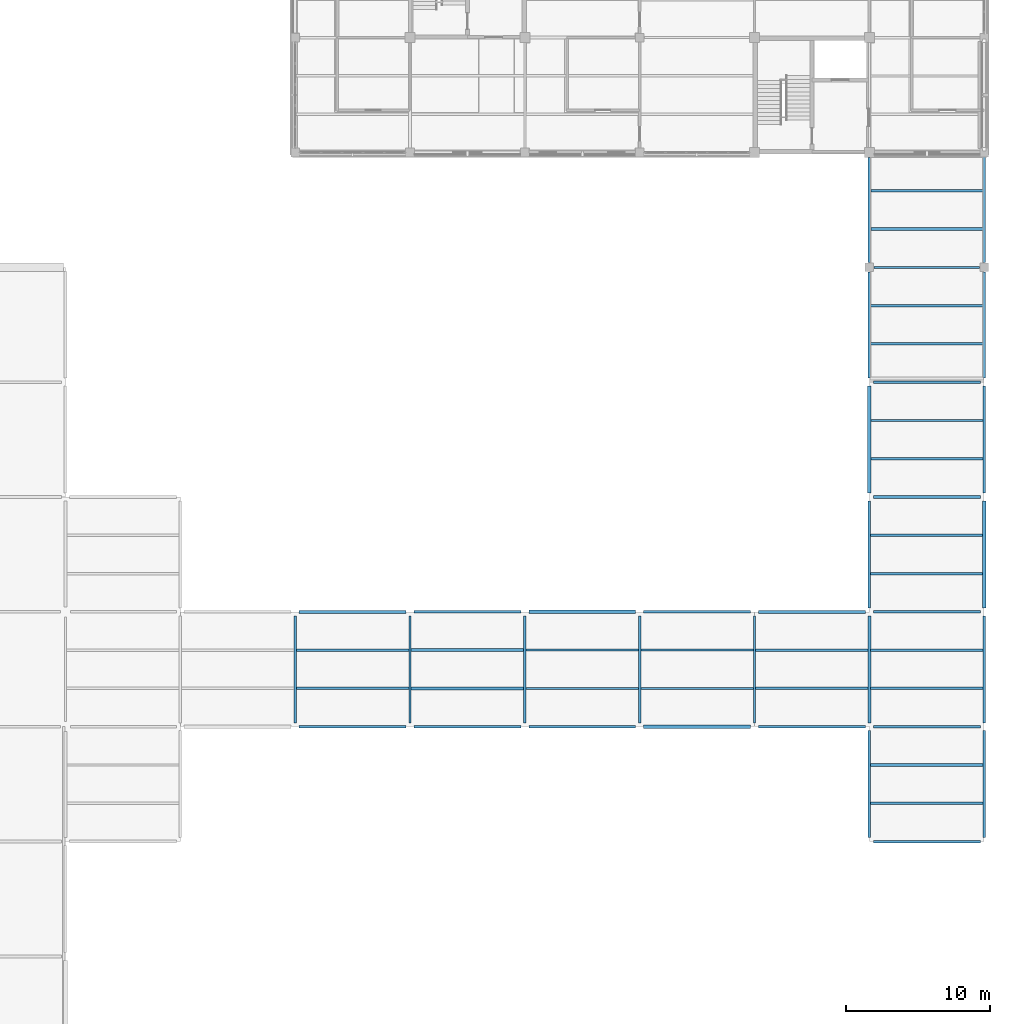
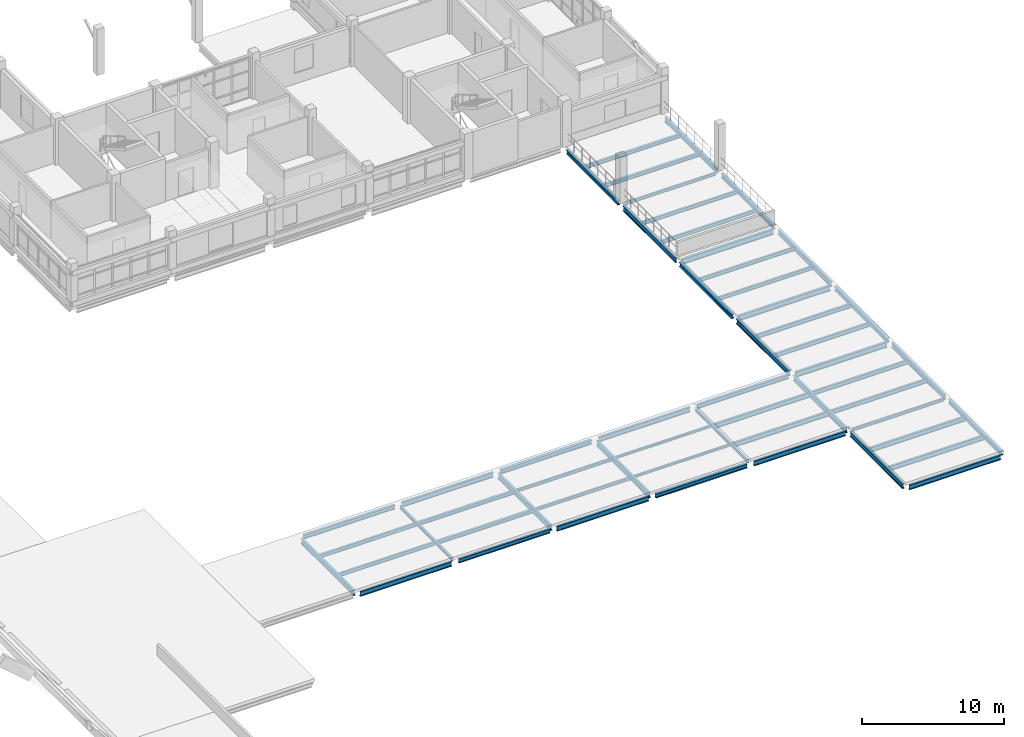
# One storey, part 9 of 35: 55 beams.
"""IFC4 building model written with IfcOpenShell, lengths in metres."""

from ifc_helpers import new_model, si_unit, derived_unit, direction, frame, origin, origin_2d, place, context, subcontext, project, spatial, i_section, extrude, material, material_profile, profile_set, type_object, element, save


model = new_model("IFC4")

# Units and contexts
model_context = context("Model", 3, precision=1e-05, world=origin(), true_north=direction((0.0, 1.0)))
body_context = subcontext(model_context, "Body", "Model", "MODEL_VIEW")
ifc_project = project(units=[si_unit("LENGTHUNIT", "METRE"), si_unit("AREAUNIT", "SQUARE_METRE"), si_unit("VOLUMEUNIT", "CUBIC_METRE"), si_unit("PLANEANGLEUNIT", "RADIAN"), si_unit("MASSUNIT", "GRAM", prefix="KILO"), derived_unit("THERMALTRANSMITTANCEUNIT", [(si_unit("MASSUNIT", "GRAM", prefix="KILO"), 1), (si_unit("TIMEUNIT", "SECOND"), -3), (si_unit("THERMODYNAMICTEMPERATUREUNIT", "KELVIN"), -1)])], contexts=[model_context])

# Site, building, storey
site_placement = place(None, origin())
site = spatial("IfcSite", under=ifc_project, at=site_placement, CompositionType="ELEMENT")
building_placement = place(site_placement, origin())
building = spatial("IfcBuilding", under=site, at=building_placement, Name="Veyamyaing Civic Hall", CompositionType="ELEMENT")
storey_placement = place(building_placement, frame((0.0, 0.0, 21.780029296875)))
storey = spatial("IfcBuildingStorey", under=building, at=storey_placement, Name="L05", CompositionType="ELEMENT", Elevation=21.780029296875)

# Beams
ifc_material = material(Name="Steel ASTM A992", Category="steel")
ifc_material_profile_1 = material_profile(ifc_material, i_section(OverallWidth=0.19189453125, OverallDepth=0.462890625, WebThickness=0.010498046875, FlangeThickness=0.017578125, FilletRadius=0.010009765625, at=origin_2d()), Name="W460X89")
ifc_profile_set_1 = profile_set([ifc_material_profile_1], Name="Steel ASTM A992")
beam_type_1 = type_object("IfcBeamType", Name="B-08", PredefinedType="BEAM", material=ifc_profile_set_1)
for number, where, z_axis, x_axis, name in (
    (1, (168.27490234375, 56.0, -0.4814453125), (1.0, 0.0, 0.0), (0.0, 1.0, 0.0), "Girder B-08 L05 Grid H 22-23"),
    (2, (144.0, 48.27490234375, -0.4814453125), (0.0, 1.0, 0.0), (-1.0, 0.0, 0.0), "Girder B-08 L05 Grid 19 G-H"),
    (3, (168.0, 48.27490234375, -0.4814453125), (0.0, 1.0, 0.0), (-1.0, 0.0, 0.0), "Girder B-08 L05 Grid 22 G-H"),
):
    element("IfcBeam", number, at=place(storey_placement, frame(where, z_axis=z_axis, x_axis=x_axis)), inside=storey, type_object=beam_type_1, Name=name, PredefinedType="BEAM", context=body_context, shape_type="SweptSolid", body=[
        extrude(i_section(OverallWidth=0.19189453125, OverallDepth=0.462890625, WebThickness=0.010498046875, FlangeThickness=0.017578125, FilletRadius=0.010009765625, at=origin_2d()), origin(), (0.0, 0.0, 1.0), 7.4501953125),
    ])
ifc_material_profile_2 = material_profile(ifc_material, i_section(OverallWidth=0.18994140625, OverallDepth=0.45703125, WebThickness=0.009033203125, FlangeThickness=0.014404296875, FilletRadius=0.010009765625, at=origin_2d()), Name="W460X74")
ifc_profile_set_2 = profile_set([ifc_material_profile_2], Name="Steel ASTM A992")
beam_type_2 = type_object("IfcBeamType", Name="B-09", PredefinedType="BEAM", material=ifc_profile_set_2)
for number, where, z_axis, x_axis, name in (
    (4, (168.27490234375, 64.0, -0.478515625), (1.0, 0.0, 0.0), (0.0, 1.0, 0.0), "Girder B-09 L05 Grid J 22-23"),
    (5, (128.0, 48.27490234375, -0.478515625), (0.0, 1.0, 0.0), (-1.0, 0.0, 0.0), "Girder B-09 L05 Grid 17 G-H"),
    (6, (152.0, 48.27490234375, -0.478515625), (0.0, 1.0, 0.0), (-1.0, 0.0, 0.0), "Girder B-09 L05 Grid 20 G-H"),
):
    element("IfcBeam", number, at=place(storey_placement, frame(where, z_axis=z_axis, x_axis=x_axis)), inside=storey, type_object=beam_type_2, Name=name, PredefinedType="BEAM", context=body_context, shape_type="SweptSolid", body=[
        extrude(i_section(OverallWidth=0.18994140625, OverallDepth=0.45703125, WebThickness=0.009033203125, FlangeThickness=0.014404296875, FilletRadius=0.010009765625, at=origin_2d()), origin(), (0.0, 0.0, 1.0), 7.4501953125),
    ])
ifc_material_profile_3 = material_profile(ifc_material, i_section(OverallWidth=0.179931640625, OverallDepth=0.4130859375, WebThickness=0.009765625, FlangeThickness=0.01611328125, FilletRadius=0.010009765625, at=origin_2d()), Name="W410X74")
ifc_profile_set_3 = profile_set([ifc_material_profile_3], Name="Steel ASTM A992")
beam_type_3 = type_object("IfcBeamType", Name="B-10", PredefinedType="SPANDREL", material=ifc_profile_set_3)
for number, where, z_axis, x_axis, name in (
    (7, (168.27490234375, 40.0, -0.45654296875), (1.0, 0.0, 0.0), (0.0, 1.0, 0.0), "Girder B-10 L05 Grid F 22-23"),
    (8, (128.27490234375, 48.0, -0.45654296875), (1.0, 0.0, 0.0), (0.0, 1.0, 0.0), "Girder B-10 L05 Grid G 17-18"),
    (9, (160.27490234375, 48.0, -0.45654296875), (1.0, 0.0, 0.0), (0.0, 1.0, 0.0), "Girder B-10 L05 Grid G 21-22"),
    (10, (152.27490234375, 56.0, -0.45654296875), (1.0, 0.0, 0.0), (0.0, 1.0, 0.0), "Girder B-10 L05 Grid H 20-21"),
    (11, (168.0, 40.27490234375, -0.45654296875), (0.0, 1.0, 0.0), (-1.0, 0.0, 0.0), "Girder B-10 L05 Grid 22 F-G"),
):
    element("IfcBeam", number, at=place(storey_placement, frame(where, z_axis=z_axis, x_axis=x_axis)), inside=storey, type_object=beam_type_3, Name=name, PredefinedType="SPANDREL", context=body_context, shape_type="SweptSolid", body=[
        extrude(i_section(OverallWidth=0.179931640625, OverallDepth=0.4130859375, WebThickness=0.009765625, FlangeThickness=0.01611328125, FilletRadius=0.010009765625, at=origin_2d()), origin(), (0.0, 0.0, 1.0), 7.4501953125),
    ])
beam_1_placement = place(storey_placement, frame((168.0, 72.27490234375, -0.4365234375), z_axis=(0.0, 1.0, 0.0), x_axis=(-1.0, 0.0, 0.0)))
element("IfcBeam", 12, at=beam_1_placement, inside=storey, type_object=beam_type_3, Name="Girder B-10 L05 Grid 22 K-L", PredefinedType="SPANDREL", context=body_context, shape_type="SweptSolid", body=[
    extrude(i_section(OverallWidth=0.179931640625, OverallDepth=0.4130859375, WebThickness=0.009765625, FlangeThickness=0.01611328125, FilletRadius=0.010009765625, at=origin_2d()), origin(), (0.0, 0.0, 1.0), 7.400146484375),
])
beam_2_placement = place(storey_placement, frame((176.0, 64.27490234375, -0.45654296875), z_axis=(0.0, 1.0, 0.0), x_axis=(-1.0, 0.0, 0.0)))
element("IfcBeam", 13, at=beam_2_placement, inside=storey, type_object=beam_type_3, Name="Girder B-10 L05 Grid 23 J-K", PredefinedType="SPANDREL", context=body_context, shape_type="SweptSolid", body=[
    extrude(i_section(OverallWidth=0.179931640625, OverallDepth=0.4130859375, WebThickness=0.009765625, FlangeThickness=0.01611328125, FilletRadius=0.010009765625, at=origin_2d()), origin(), (0.0, 0.0, 1.0), 7.4501953125),
])
ifc_material_profile_4 = material_profile(ifc_material, i_section(OverallWidth=0.2041015625, OverallDepth=0.35009765625, WebThickness=0.0078125, FlangeThickness=0.01513671875, FilletRadius=0.010009765625, at=origin_2d()), Name="W360X72")
ifc_profile_set_4 = profile_set([ifc_material_profile_4], Name="Steel ASTM A992")
beam_type_4 = type_object("IfcBeamType", Name="B-11", PredefinedType="SPANDREL", material=ifc_profile_set_4)
for number, where, z_axis, x_axis, name in (
    (14, (136.27490234375, 48.0, -0.425048828125), (1.0, 0.0, 0.0), (0.0, 1.0, 0.0), "Girder B-11 L05 Grid G 18-19"),
    (15, (128.27490234375, 56.0, -0.425048828125), (1.0, 0.0, 0.0), (0.0, 1.0, 0.0), "Girder B-11 L05 Grid H 17-18"),
    (16, (160.27490234375, 56.0, -0.425048828125), (1.0, 0.0, 0.0), (0.0, 1.0, 0.0), "Girder B-11 L05 Grid H 21-22"),
):
    element("IfcBeam", number, at=place(storey_placement, frame(where, z_axis=z_axis, x_axis=x_axis)), inside=storey, type_object=beam_type_4, Name=name, PredefinedType="SPANDREL", context=body_context, shape_type="SweptSolid", body=[
        extrude(i_section(OverallWidth=0.2041015625, OverallDepth=0.35009765625, WebThickness=0.0078125, FlangeThickness=0.01513671875, FilletRadius=0.010009765625, at=origin_2d()), origin(), (0.0, 0.0, 1.0), 7.4501953125),
    ])
beam_3_placement = place(storey_placement, frame((168.0, 80.324951171875, -0.405029296875), z_axis=(0.0, 1.0, 0.0), x_axis=(-1.0, 0.0, 0.0)))
element("IfcBeam", 17, at=beam_3_placement, inside=storey, type_object=beam_type_4, Name="Girder B-11 L05 Grid 22 L-M", PredefinedType="SPANDREL", context=body_context, shape_type="SweptSolid", body=[
    extrude(i_section(OverallWidth=0.2041015625, OverallDepth=0.35009765625, WebThickness=0.0078125, FlangeThickness=0.01513671875, FilletRadius=0.010009765625, at=origin_2d()), origin(), (0.0, 0.0, 1.0), 7.324951171875),
])
beam_4_placement = place(storey_placement, frame((176.0, 40.27490234375, -0.425048828125), z_axis=(0.0, 1.0, 0.0), x_axis=(-1.0, 0.0, 0.0)))
element("IfcBeam", 18, at=beam_4_placement, inside=storey, type_object=beam_type_4, Name="Girder B-11 L05 Grid 23 F-G", PredefinedType="SPANDREL", context=body_context, shape_type="SweptSolid", body=[
    extrude(i_section(OverallWidth=0.2041015625, OverallDepth=0.35009765625, WebThickness=0.0078125, FlangeThickness=0.01513671875, FilletRadius=0.010009765625, at=origin_2d()), origin(), (0.0, 0.0, 1.0), 7.4501953125),
])
beam_5_placement = place(storey_placement, frame((176.0, 72.27490234375, -0.405029296875), z_axis=(0.0, 1.0, 0.0), x_axis=(-1.0, 0.0, 0.0)))
element("IfcBeam", 19, at=beam_5_placement, inside=storey, type_object=beam_type_4, Name="Girder B-11 L05 Grid 23 K-L", PredefinedType="SPANDREL", context=body_context, shape_type="SweptSolid", body=[
    extrude(i_section(OverallWidth=0.2041015625, OverallDepth=0.35009765625, WebThickness=0.0078125, FlangeThickness=0.01513671875, FilletRadius=0.010009765625, at=origin_2d()), origin(), (0.0, 0.0, 1.0), 7.400146484375),
])
ifc_material_profile_5 = material_profile(ifc_material, i_section(OverallWidth=0.14599609375, OverallDepth=0.258056640625, WebThickness=0.006103515625, FlangeThickness=0.009033203125, FilletRadius=0.010009765625, at=origin_2d()), Name="W250X33")
ifc_profile_set_5 = profile_set([ifc_material_profile_5], Name="Steel ASTM A992")
beam_type_5 = type_object("IfcBeamType", Name="B-12", PredefinedType="BEAM", material=ifc_profile_set_5)
beam_6_placement = place(storey_placement, frame((168.27490234375, 48.0, -0.379150390625), z_axis=(1.0, 0.0, 0.0), x_axis=(0.0, 1.0, 0.0)))
element("IfcBeam", 20, at=beam_6_placement, inside=storey, type_object=beam_type_5, Name="Girder B-12 L05 Grid G 22-23", PredefinedType="BEAM", context=body_context, shape_type="SweptSolid", body=[
    extrude(i_section(OverallWidth=0.14599609375, OverallDepth=0.258056640625, WebThickness=0.006103515625, FlangeThickness=0.009033203125, FilletRadius=0.010009765625, at=origin_2d()), origin(), (0.0, 0.0, 1.0), 7.4501953125),
])
beam_7_placement = place(storey_placement, frame((168.324951171875, 80.0, -0.359130859375), z_axis=(1.0, 0.0, 0.0), x_axis=(0.0, 1.0, 0.0)))
element("IfcBeam", 21, at=beam_7_placement, inside=storey, type_object=beam_type_5, Name="Girder B-12 L05 Grid L 22-23", PredefinedType="BEAM", context=body_context, shape_type="SweptSolid", body=[
    extrude(i_section(OverallWidth=0.14599609375, OverallDepth=0.258056640625, WebThickness=0.006103515625, FlangeThickness=0.009033203125, FilletRadius=0.010009765625, at=origin_2d()), origin(), (0.0, 0.0, 1.0), 7.35009765625),
])
for number, where, z_axis, x_axis, name in (
    (22, (136.0, 48.27490234375, -0.379150390625), (0.0, 1.0, 0.0), (-1.0, 0.0, 0.0), "Girder B-12 L05 Grid 18 G-H"),
    (23, (160.0, 48.27490234375, -0.379150390625), (0.0, 1.0, 0.0), (-1.0, 0.0, 0.0), "Girder B-12 L05 Grid 21 G-H"),
):
    element("IfcBeam", number, at=place(storey_placement, frame(where, z_axis=z_axis, x_axis=x_axis)), inside=storey, type_object=beam_type_5, Name=name, PredefinedType="BEAM", context=body_context, shape_type="SweptSolid", body=[
        extrude(i_section(OverallWidth=0.14599609375, OverallDepth=0.258056640625, WebThickness=0.006103515625, FlangeThickness=0.009033203125, FilletRadius=0.010009765625, at=origin_2d()), origin(), (0.0, 0.0, 1.0), 7.4501953125),
    ])
ifc_material_profile_6 = material_profile(ifc_material, i_section(OverallWidth=0.194091796875, OverallDepth=0.468994140625, WebThickness=0.0126953125, FlangeThickness=0.0205078125, FilletRadius=0.010009765625, at=origin_2d()), Name="W460X106")
ifc_profile_set_6 = profile_set([ifc_material_profile_6], Name="Steel ASTM A992")
beam_type_6 = type_object("IfcBeamType", Name="B-18", PredefinedType="BEAM", material=ifc_profile_set_6)
beam_8_placement = place(storey_placement, frame((168.27490234375, 72.0, -0.484619140625), z_axis=(1.0, 0.0, 0.0), x_axis=(0.0, 1.0, 0.0)))
element("IfcBeam", 24, at=beam_8_placement, inside=storey, type_object=beam_type_6, Name="Girder B-18 L05 Grid K 22-23", PredefinedType="BEAM", context=body_context, shape_type="SweptSolid", body=[
    extrude(i_section(OverallWidth=0.194091796875, OverallDepth=0.468994140625, WebThickness=0.0126953125, FlangeThickness=0.0205078125, FilletRadius=0.010009765625, at=origin_2d()), origin(), (0.0, 0.0, 1.0), 7.4501953125),
])
ifc_material_profile_7 = material_profile(ifc_material, i_section(OverallWidth=0.180908203125, OverallDepth=0.4169921875, WebThickness=0.010986328125, FlangeThickness=0.018310546875, FilletRadius=0.010009765625, at=origin_2d()), Name="W410X85")
ifc_profile_set_7 = profile_set([ifc_material_profile_7], Name="Steel ASTM A992")
beam_type_7 = type_object("IfcBeamType", Name="B-19", PredefinedType="SPANDREL", material=ifc_profile_set_7)
for number, where, z_axis, x_axis, name in (
    (25, (144.27490234375, 48.0, -0.45849609375), (1.0, 0.0, 0.0), (0.0, 1.0, 0.0), "Girder B-19 L05 Grid G 19-20"),
    (26, (136.27490234375, 56.0, -0.45849609375), (1.0, 0.0, 0.0), (0.0, 1.0, 0.0), "Girder B-19 L05 Grid H 18-19"),
    (27, (168.0, 56.27490234375, -0.45849609375), (0.0, 1.0, 0.0), (-1.0, 0.0, 0.0), "Girder B-19 L05 Grid 22 H-J"),
    (28, (176.0, 48.27490234375, -0.45849609375), (0.0, 1.0, 0.0), (-1.0, 0.0, 0.0), "Girder B-19 L05 Grid 23 G-H"),
):
    element("IfcBeam", number, at=place(storey_placement, frame(where, z_axis=z_axis, x_axis=x_axis)), inside=storey, type_object=beam_type_7, Name=name, PredefinedType="SPANDREL", context=body_context, shape_type="SweptSolid", body=[
        extrude(i_section(OverallWidth=0.180908203125, OverallDepth=0.4169921875, WebThickness=0.010986328125, FlangeThickness=0.018310546875, FilletRadius=0.010009765625, at=origin_2d()), origin(), (0.0, 0.0, 1.0), 7.4501953125),
    ])
beam_9_placement = place(storey_placement, frame((176.0, 80.324951171875, -0.4384765625), z_axis=(0.0, 1.0, 0.0), x_axis=(-1.0, 0.0, 0.0)))
element("IfcBeam", 29, at=beam_9_placement, inside=storey, type_object=beam_type_7, Name="Girder B-19 L05 Grid 23 L-M", PredefinedType="SPANDREL", context=body_context, shape_type="SweptSolid", body=[
    extrude(i_section(OverallWidth=0.180908203125, OverallDepth=0.4169921875, WebThickness=0.010986328125, FlangeThickness=0.018310546875, FilletRadius=0.010009765625, at=origin_2d()), origin(), (0.0, 0.0, 1.0), 7.35009765625),
])
ifc_material_profile_8 = material_profile(ifc_material, i_section(OverallWidth=0.25390625, OverallDepth=0.35302734375, WebThickness=0.009521484375, FlangeThickness=0.016357421875, FilletRadius=0.011962890625, at=origin_2d()), Name="W360X91")
ifc_profile_set_8 = profile_set([ifc_material_profile_8], Name="Steel ASTM A992")
beam_type_8 = type_object("IfcBeamType", Name="B-20", PredefinedType="SPANDREL", material=ifc_profile_set_8)
for number, where, z_axis, x_axis, name in (
    (30, (152.27490234375, 48.0, -0.426513671875), (1.0, 0.0, 0.0), (0.0, 1.0, 0.0), "Girder B-20 L05 Grid G 20-21"),
    (31, (144.27490234375, 56.0, -0.426513671875), (1.0, 0.0, 0.0), (0.0, 1.0, 0.0), "Girder B-20 L05 Grid H 19-20"),
    (32, (168.0, 64.27490234375, -0.426513671875), (0.0, 1.0, 0.0), (-1.0, 0.0, 0.0), "Girder B-20 L05 Grid 22 J-K"),
    (33, (176.0, 56.27490234375, -0.426513671875), (0.0, 1.0, 0.0), (-1.0, 0.0, 0.0), "Girder B-20 L05 Grid 23 H-J"),
):
    element("IfcBeam", number, at=place(storey_placement, frame(where, z_axis=z_axis, x_axis=x_axis)), inside=storey, type_object=beam_type_8, Name=name, PredefinedType="SPANDREL", context=body_context, shape_type="SweptSolid", body=[
        extrude(i_section(OverallWidth=0.25390625, OverallDepth=0.35302734375, WebThickness=0.009521484375, FlangeThickness=0.016357421875, FilletRadius=0.011962890625, at=origin_2d()), origin(), (0.0, 0.0, 1.0), 7.4501953125),
    ])
ifc_material_profile_9 = material_profile(ifc_material, i_section(OverallWidth=0.177978515625, OverallDepth=0.406982421875, WebThickness=0.0078125, FlangeThickness=0.0126953125, FilletRadius=0.010009765625, at=origin_2d()), Name="W410X60")
ifc_profile_set_9 = profile_set([ifc_material_profile_9], Name="Steel ASTM A992")
beam_type_9 = type_object("IfcBeamType", Name="J-01", PredefinedType="JOIST", material=ifc_profile_set_9)
for number, where, z_axis, x_axis, name in (
    (34, (160.071044921875, 50.666748046875, -0.45361328125), (1.0, 0.0, 0.0), (0.0, 1.0, 0.0), "Composite floor joist J-01 L05 21.7.1"),
    (35, (160.071044921875, 53.333251953125, -0.45361328125), (1.0, 0.0, 0.0), (0.0, 1.0, 0.0), "Composite floor joist J-01 L05 21.7.2"),
):
    element("IfcBeam", number, at=place(storey_placement, frame(where, z_axis=z_axis, x_axis=x_axis)), inside=storey, type_object=beam_type_9, Name=name, PredefinedType="JOIST", context=body_context, shape_type="SweptSolid", body=[
        extrude(i_section(OverallWidth=0.177978515625, OverallDepth=0.406982421875, WebThickness=0.0078125, FlangeThickness=0.0126953125, FilletRadius=0.010009765625, at=origin_2d()), origin(), (0.0, 0.0, 1.0), 7.8349609375),
    ])
for number, where, z_axis, x_axis, name in (
    (36, (168.087890625, 42.666748046875, -0.45361328125), (1.0, 0.0, 0.0), (0.0, 1.0, 0.0), "Composite floor joist J-01 L05 22.6.1"),
    (37, (168.087890625, 45.333251953125, -0.45361328125), (1.0, 0.0, 0.0), (0.0, 1.0, 0.0), "Composite floor joist J-01 L05 22.6.2"),
):
    element("IfcBeam", number, at=place(storey_placement, frame(where, z_axis=z_axis, x_axis=x_axis)), inside=storey, type_object=beam_type_9, Name=name, PredefinedType="JOIST", context=body_context, shape_type="SweptSolid", body=[
        extrude(i_section(OverallWidth=0.177978515625, OverallDepth=0.406982421875, WebThickness=0.0078125, FlangeThickness=0.0126953125, FilletRadius=0.010009765625, at=origin_2d()), origin(), (0.0, 0.0, 1.0), 7.81201171875),
    ])
ifc_material_profile_10 = material_profile(ifc_material, i_section(OverallWidth=0.172119140625, OverallDepth=0.35791015625, WebThickness=0.0078125, FlangeThickness=0.01318359375, FilletRadius=0.010009765625, at=origin_2d()), Name="W360X57")
ifc_profile_set_10 = profile_set([ifc_material_profile_10], Name="Steel ASTM A992")
beam_type_10 = type_object("IfcBeamType", Name="J-02", PredefinedType="JOIST", material=ifc_profile_set_10)
for number, where, z_axis, x_axis, name in (
    (38, (168.093994140625, 50.666748046875, -0.428955078125), (1.0, 0.0, 0.0), (0.0, 1.0, 0.0), "Composite floor joist J-02 L05 22.7.1"),
    (39, (168.093994140625, 53.333251953125, -0.428955078125), (1.0, 0.0, 0.0), (0.0, 1.0, 0.0), "Composite floor joist J-02 L05 22.7.2"),
):
    element("IfcBeam", number, at=place(storey_placement, frame(where, z_axis=z_axis, x_axis=x_axis)), inside=storey, type_object=beam_type_10, Name=name, PredefinedType="JOIST", context=body_context, shape_type="SweptSolid", body=[
        extrude(i_section(OverallWidth=0.172119140625, OverallDepth=0.35791015625, WebThickness=0.0078125, FlangeThickness=0.01318359375, FilletRadius=0.010009765625, at=origin_2d()), origin(), (0.0, 0.0, 1.0), 7.817626953125),
    ])
ifc_material_profile_11 = material_profile(ifc_material, i_section(OverallWidth=0.1708984375, OverallDepth=0.35205078125, WebThickness=0.0068359375, FlangeThickness=0.009765625, FilletRadius=0.010009765625, at=origin_2d()), Name="W360X44")
ifc_profile_set_11 = profile_set([ifc_material_profile_11], Name="Steel ASTM A992")
beam_type_11 = type_object("IfcBeamType", Name="J-03", PredefinedType="JOIST", material=ifc_profile_set_11)
for number, where, z_axis, x_axis, name in (
    (40, (168.08837890625, 58.666748046875, -0.426025390625), (1.0, 0.0, 0.0), (0.0, 1.0, 0.0), "Composite floor joist J-03 L05 22.8.1"),
    (41, (168.08837890625, 61.333251953125, -0.426025390625), (1.0, 0.0, 0.0), (0.0, 1.0, 0.0), "Composite floor joist J-03 L05 22.8.2"),
):
    element("IfcBeam", number, at=place(storey_placement, frame(where, z_axis=z_axis, x_axis=x_axis)), inside=storey, type_object=beam_type_11, Name=name, PredefinedType="JOIST", context=body_context, shape_type="SweptSolid", body=[
        extrude(i_section(OverallWidth=0.1708984375, OverallDepth=0.35205078125, WebThickness=0.0068359375, FlangeThickness=0.009765625, FilletRadius=0.010009765625, at=origin_2d()), origin(), (0.0, 0.0, 1.0), 7.78662109375),
    ])
ifc_material_profile_12 = material_profile(ifc_material, i_section(OverallWidth=0.1669921875, OverallDepth=0.318115234375, WebThickness=0.007568359375, FlangeThickness=0.01318359375, FilletRadius=0.010009765625, at=origin_2d()), Name="W310X52")
ifc_profile_set_12 = profile_set([ifc_material_profile_12], Name="Steel ASTM A992")
beam_type_12 = type_object("IfcBeamType", Name="J-04", PredefinedType="JOIST", material=ifc_profile_set_12)
for number, where, z_axis, x_axis, name in (
    (42, (168.125, 66.666748046875, -0.408935546875), (1.0, 0.0, 0.0), (0.0, 1.0, 0.0), "Composite floor joist J-04 L05 22.9.1"),
    (43, (168.125, 69.333251953125, -0.408935546875), (1.0, 0.0, 0.0), (0.0, 1.0, 0.0), "Composite floor joist J-04 L05 22.9.2"),
):
    element("IfcBeam", number, at=place(storey_placement, frame(where, z_axis=z_axis, x_axis=x_axis)), inside=storey, type_object=beam_type_12, Name=name, PredefinedType="JOIST", context=body_context, shape_type="SweptSolid", body=[
        extrude(i_section(OverallWidth=0.1669921875, OverallDepth=0.318115234375, WebThickness=0.007568359375, FlangeThickness=0.01318359375, FilletRadius=0.010009765625, at=origin_2d()), origin(), (0.0, 0.0, 1.0), 7.787109375),
    ])
ifc_material_profile_13 = material_profile(ifc_material, i_section(OverallWidth=0.1650390625, OverallDepth=0.31005859375, WebThickness=0.005859375, FlangeThickness=0.009765625, FilletRadius=0.010009765625, at=origin_2d()), Name="W310X39")
ifc_profile_set_13 = profile_set([ifc_material_profile_13], Name="Steel ASTM A992")
beam_type_13 = type_object("IfcBeamType", Name="J-05", PredefinedType="JOIST", material=ifc_profile_set_13)
for number, where, z_axis, x_axis, name in (
    (44, (128.093017578125, 50.666748046875, -0.405029296875), (1.0, 0.0, 0.0), (0.0, 1.0, 0.0), "Composite floor joist J-05 L05 17.7.1"),
    (45, (128.093017578125, 53.333251953125, -0.405029296875), (1.0, 0.0, 0.0), (0.0, 1.0, 0.0), "Composite floor joist J-05 L05 17.7.2"),
):
    element("IfcBeam", number, at=place(storey_placement, frame(where, z_axis=z_axis, x_axis=x_axis)), inside=storey, type_object=beam_type_13, Name=name, PredefinedType="JOIST", context=body_context, shape_type="SweptSolid", body=[
        extrude(i_section(OverallWidth=0.1650390625, OverallDepth=0.31005859375, WebThickness=0.005859375, FlangeThickness=0.009765625, FilletRadius=0.010009765625, at=origin_2d()), origin(), (0.0, 0.0, 1.0), 7.8359375),
    ])
for number, where, z_axis, x_axis, name in (
    (46, (168.087890625, 74.666748046875, -0.385009765625), (1.0, 0.0, 0.0), (0.0, 1.0, 0.0), "Composite floor joist J-05 L05 22.10.1"),
    (47, (168.087890625, 77.333251953125, -0.385009765625), (1.0, 0.0, 0.0), (0.0, 1.0, 0.0), "Composite floor joist J-05 L05 22.10.2"),
):
    element("IfcBeam", number, at=place(storey_placement, frame(where, z_axis=z_axis, x_axis=x_axis)), inside=storey, type_object=beam_type_13, Name=name, PredefinedType="JOIST", context=body_context, shape_type="SweptSolid", body=[
        extrude(i_section(OverallWidth=0.1650390625, OverallDepth=0.31005859375, WebThickness=0.005859375, FlangeThickness=0.009765625, FilletRadius=0.010009765625, at=origin_2d()), origin(), (0.0, 0.0, 1.0), 7.81201171875),
    ])
ifc_material_profile_14 = material_profile(ifc_material, i_section(OverallWidth=0.2041015625, OverallDepth=0.305908203125, WebThickness=0.008544921875, FlangeThickness=0.0146484375, FilletRadius=0.010009765625, at=origin_2d()), Name="W310X67")
ifc_profile_set_14 = profile_set([ifc_material_profile_14], Name="Steel ASTM A992")
beam_type_14 = type_object("IfcBeamType", Name="J-06", PredefinedType="JOIST", material=ifc_profile_set_14)
for number, where, z_axis, x_axis, name in (
    (48, (136.071044921875, 50.666748046875, -0.403076171875), (1.0, 0.0, 0.0), (0.0, 1.0, 0.0), "Composite floor joist J-06 L05 18.7.1"),
    (49, (136.071044921875, 53.333251953125, -0.403076171875), (1.0, 0.0, 0.0), (0.0, 1.0, 0.0), "Composite floor joist J-06 L05 18.7.2"),
):
    element("IfcBeam", number, at=place(storey_placement, frame(where, z_axis=z_axis, x_axis=x_axis)), inside=storey, type_object=beam_type_14, Name=name, PredefinedType="JOIST", context=body_context, shape_type="SweptSolid", body=[
        extrude(i_section(OverallWidth=0.2041015625, OverallDepth=0.305908203125, WebThickness=0.008544921875, FlangeThickness=0.0146484375, FilletRadius=0.010009765625, at=origin_2d()), origin(), (0.0, 0.0, 1.0), 7.8349609375),
    ])
for number, where, z_axis, x_axis, name in (
    (50, (168.10009765625, 82.666748046875, -0.383056640625), (1.0, 0.0, 0.0), (0.0, 1.0, 0.0), "Composite floor joist J-06 L05 22.11.1"),
    (51, (168.10009765625, 85.333251953125, -0.383056640625), (1.0, 0.0, 0.0), (0.0, 1.0, 0.0), "Composite floor joist J-06 L05 22.11.2"),
):
    element("IfcBeam", number, at=place(storey_placement, frame(where, z_axis=z_axis, x_axis=x_axis)), inside=storey, type_object=beam_type_14, Name=name, PredefinedType="JOIST", context=body_context, shape_type="SweptSolid", body=[
        extrude(i_section(OverallWidth=0.2041015625, OverallDepth=0.305908203125, WebThickness=0.008544921875, FlangeThickness=0.0146484375, FilletRadius=0.010009765625, at=origin_2d()), origin(), (0.0, 0.0, 1.0), 7.8115234375),
    ])
ifc_material_profile_15 = material_profile(ifc_material, i_section(OverallWidth=0.14794921875, OverallDepth=0.26611328125, WebThickness=0.007568359375, FlangeThickness=0.012939453125, FilletRadius=0.010009765625, at=origin_2d()), Name="W250X45")
ifc_profile_set_15 = profile_set([ifc_material_profile_15], Name="Steel ASTM A992")
beam_type_15 = type_object("IfcBeamType", Name="J-07", PredefinedType="JOIST", material=ifc_profile_set_15)
for number, where, z_axis, x_axis, name in (
    (52, (144.093994140625, 50.666748046875, -0.383056640625), (1.0, 0.0, 0.0), (0.0, 1.0, 0.0), "Composite floor joist J-07 L05 19.7.1"),
    (53, (144.093994140625, 53.333251953125, -0.383056640625), (1.0, 0.0, 0.0), (0.0, 1.0, 0.0), "Composite floor joist J-07 L05 19.7.2"),
):
    element("IfcBeam", number, at=place(storey_placement, frame(where, z_axis=z_axis, x_axis=x_axis)), inside=storey, type_object=beam_type_15, Name=name, PredefinedType="JOIST", context=body_context, shape_type="SweptSolid", body=[
        extrude(i_section(OverallWidth=0.14794921875, OverallDepth=0.26611328125, WebThickness=0.007568359375, FlangeThickness=0.012939453125, FilletRadius=0.010009765625, at=origin_2d()), origin(), (0.0, 0.0, 1.0), 7.81298828125),
    ])
ifc_material_profile_16 = material_profile(ifc_material, i_section(OverallWidth=0.133056640625, OverallDepth=0.20703125, WebThickness=0.005859375, FlangeThickness=0.00830078125, FilletRadius=0.010009765625, at=origin_2d()), Name="W200X27")
ifc_profile_set_16 = profile_set([ifc_material_profile_16], Name="Steel ASTM A992")
beam_type_16 = type_object("IfcBeamType", Name="J-08", PredefinedType="JOIST", material=ifc_profile_set_16)
for number, where, z_axis, x_axis, name in (
    (54, (152.093017578125, 50.666748046875, -0.353515625), (1.0, 0.0, 0.0), (0.0, 1.0, 0.0), "Composite floor joist J-08 L05 20.7.1"),
    (55, (152.093017578125, 53.333251953125, -0.353515625), (1.0, 0.0, 0.0), (0.0, 1.0, 0.0), "Composite floor joist J-08 L05 20.7.2"),
):
    element("IfcBeam", number, at=place(storey_placement, frame(where, z_axis=z_axis, x_axis=x_axis)), inside=storey, type_object=beam_type_16, Name=name, PredefinedType="JOIST", context=body_context, shape_type="SweptSolid", body=[
        extrude(i_section(OverallWidth=0.133056640625, OverallDepth=0.20703125, WebThickness=0.005859375, FlangeThickness=0.00830078125, FilletRadius=0.010009765625, at=origin_2d()), origin(), (0.0, 0.0, 1.0), 7.8359375),
    ])

save(model, "model.ifc")
